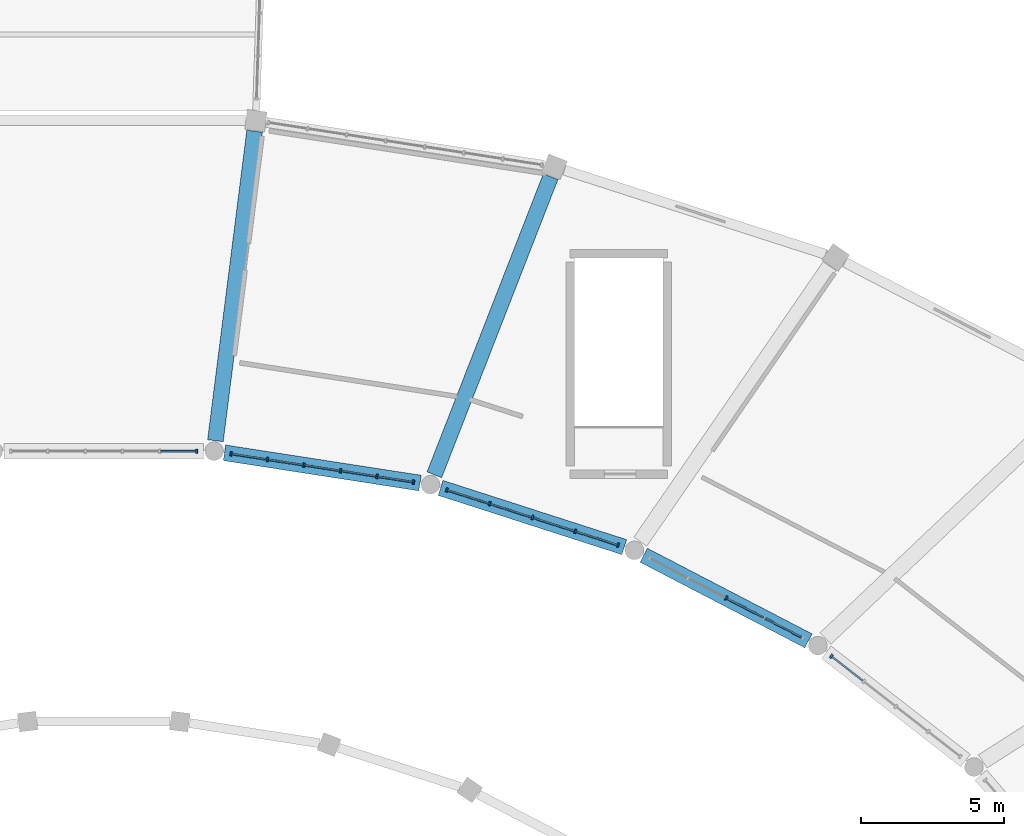
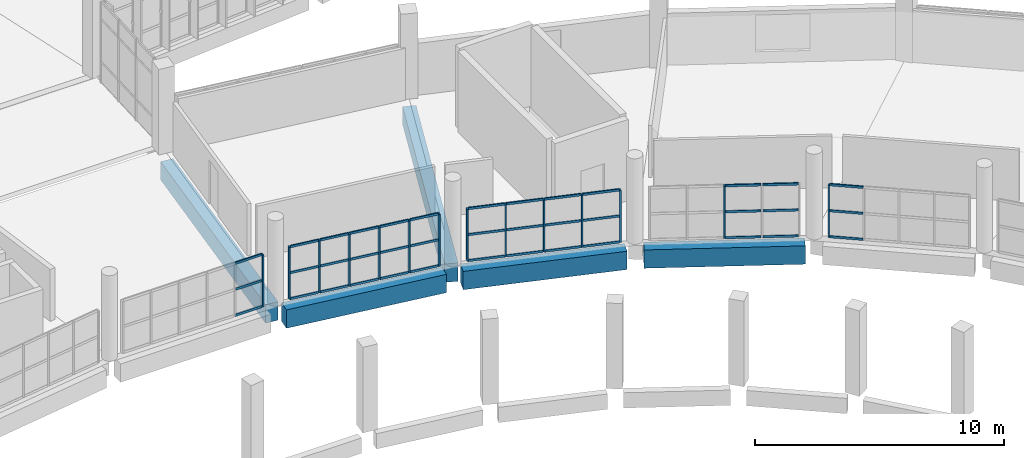
# One storey, part 32 of 142: 53 members, 5 beams, 5 elements without a shape of their own.
"""IFC4 building model written with IfcOpenShell, lengths in metres."""

from ifc_helpers import new_model, si_unit, direction, frame, origin, origin_2d, place, context, subcontext, project, spatial, rectangle, extrude, material, layer, layer_set, material_profile, profile_set, type_object, element, aggregate, save


model = new_model("IFC4")

# Units and contexts
model_context = context("Model", 3, precision=1e-05, world=origin(), true_north=direction((0.0, 1.0)))
body_context = subcontext(model_context, "Body", "Model", "MODEL_VIEW")
ifc_project = project(units=[si_unit("LENGTHUNIT", "METRE"), si_unit("AREAUNIT", "SQUARE_METRE"), si_unit("VOLUMEUNIT", "CUBIC_METRE"), si_unit("PLANEANGLEUNIT", "RADIAN"), si_unit("MASSUNIT", "GRAM", prefix="KILO")], contexts=[model_context])

# Site, building, storey
site_placement = place(None, origin())
site = spatial("IfcSite", under=ifc_project, at=site_placement, CompositionType="ELEMENT")
building_placement = place(site_placement, origin())
building = spatial("IfcBuilding", under=site, at=building_placement, Name="Corvandel Quay Wholesale Market", CompositionType="ELEMENT")
storey_placement = place(building_placement, frame((0.0, 0.0, 10.800048828125)))
storey = spatial("IfcBuildingStorey", under=building, at=storey_placement, Name="L02", CompositionType="ELEMENT", Elevation=10.800048828125)

# Curtain wall, member
ifc_material_1 = material(Name="Bronze anodised aluminium and low-E insulated glazing", Category="aluminium")
ifc_layer_1 = layer(ifc_material_1, 0.14990234375)
ifc_layer_set_1 = layer_set([ifc_layer_1], Name="Bronze anodised aluminium and low-E insulated glazing")
curtain_wall_type_1 = type_object("IfcCurtainWallType", Name="Stick Curtain Wall System CW25 H5250", PredefinedType="NOTDEFINED", material=ifc_layer_set_1)
curtain_wall_1_placement = place(storey_placement, origin())
curtain_wall_1 = element("IfcCurtainWall", 1, at=curtain_wall_1_placement, inside=storey, type_object=curtain_wall_type_1, Name="Curtain Wall CW-0011", PredefinedType="NOTDEFINED")
ifc_material_2 = material(Name="Anodised aluminium 6063-T6", Category="aluminium")
ifc_material_profile_1 = material_profile(ifc_material_2, rectangle(XDim=0.06494140625, YDim=0.14990234375, at=origin_2d()), Name="ALU-MUL-65x150")
ifc_profile_set_1 = profile_set([ifc_material_profile_1], Name="Anodised aluminium 6063-T6")
member_type_1 = type_object("IfcMemberType", Name="Curtain Wall Mullion ML02 65x150", PredefinedType="MULLION", material=ifc_profile_set_1)
member_1_placement = place(storey_placement, frame((139.4306640625, 65.28369140625, 0.0), z_axis=(0.0, 0.0, 1.0), x_axis=(-0.789405615633, 0.613871952452, 0.0)))
member_1 = element("IfcMember", 2, at=member_1_placement, type_object=member_type_1, Name="Mullion CW-0011-M04", PredefinedType="MULLION", context=body_context, shape_type="SweptSolid", body=[
    extrude(rectangle(XDim=0.06494140625, YDim=0.14990234375, at=origin_2d()), origin(), (0.0, 0.0, 1.0), 2.550048828125),
])

ifc_layer_2 = layer(ifc_material_1, 0.162109375)
ifc_layer_set_2 = layer_set([ifc_layer_2], Name="Bronze anodised aluminium and low-E insulated glazing")
curtain_wall_type_2 = type_object("IfcCurtainWallType", Name="Stick Curtain Wall System CW26 H5340", PredefinedType="NOTDEFINED", material=ifc_layer_set_2)
curtain_wall_2_placement = place(storey_placement, origin())
curtain_wall_2 = element("IfcCurtainWall", 3, at=curtain_wall_2_placement, inside=storey, type_object=curtain_wall_type_2, Name="Curtain Wall CW-0015", PredefinedType="NOTDEFINED")
member_2_placement = place(storey_placement, frame((135.75048828125, 67.318115234375, 0.0), z_axis=(0.0, 0.0, 1.0), x_axis=(-0.887332978338, 0.461129250378, 0.0)))
member_2 = element("IfcMember", 4, at=member_2_placement, type_object=member_type_1, Name="Mullion CW-0015-M02", PredefinedType="MULLION", context=body_context, shape_type="SweptSolid", body=[
    extrude(rectangle(XDim=0.06494140625, YDim=0.14990234375, at=origin_2d()), origin(), (0.0, 0.0, 1.0), 2.550048828125),
])

# Curtain wall, members
ifc_layer_3 = layer(ifc_material_1, 0.174072265625)
ifc_layer_set_3 = layer_set([ifc_layer_3], Name="Bronze anodised aluminium and low-E insulated glazing")
curtain_wall_type_3 = type_object("IfcCurtainWallType", Name="Stick Curtain Wall System CW27 H5430", PredefinedType="NOTDEFINED", material=ifc_layer_set_3)
curtain_wall_3_placement = place(storey_placement, origin())
curtain_wall_3 = element("IfcCurtainWall", 5, at=curtain_wall_3_placement, inside=storey, type_object=curtain_wall_type_3, Name="Curtain Wall CW-0017", PredefinedType="NOTDEFINED")
member_3_placement = place(storey_placement, frame((131.972900390625, 69.16796875, 0.0), z_axis=(0.0, 0.0, 1.0), x_axis=(-0.951808747363, 0.306692204733, 0.0)))
member_3 = element("IfcMember", 6, at=member_3_placement, type_object=member_type_1, Name="Mullion CW-0017-M00", PredefinedType="MULLION", context=body_context, shape_type="SweptSolid", body=[
    extrude(rectangle(XDim=0.06494140625, YDim=0.14990234375, at=origin_2d()), origin(), (0.0, 0.0, 1.0), 2.550048828125),
])
member_4_placement = place(storey_placement, frame((130.4775390625, 69.64990234375, 0.0), z_axis=(0.0, 0.0, 1.0), x_axis=(-0.951808747363, 0.306692204733, 0.0)))
member_4 = element("IfcMember", 7, at=member_4_placement, type_object=member_type_1, Name="Mullion CW-0017-M01", PredefinedType="MULLION", context=body_context, shape_type="SweptSolid", body=[
    extrude(rectangle(XDim=0.06494140625, YDim=0.14990234375, at=origin_2d()), origin(), (0.0, 0.0, 1.0), 2.550048828125),
])
member_5_placement = place(storey_placement, frame((128.98193359375, 70.132080078125, 0.0), z_axis=(0.0, 0.0, 1.0), x_axis=(-0.951808747363, 0.306692204733, 0.0)))
member_5 = element("IfcMember", 8, at=member_5_placement, type_object=member_type_1, Name="Mullion CW-0017-M02", PredefinedType="MULLION", context=body_context, shape_type="SweptSolid", body=[
    extrude(rectangle(XDim=0.06494140625, YDim=0.14990234375, at=origin_2d()), origin(), (0.0, 0.0, 1.0), 2.550048828125),
])
member_6_placement = place(storey_placement, frame((127.486572265625, 70.614013671875, 0.0), z_axis=(0.0, 0.0, 1.0), x_axis=(-0.951808747363, 0.306692204733, 0.0)))
member_6 = element("IfcMember", 9, at=member_6_placement, type_object=member_type_1, Name="Mullion CW-0017-M03", PredefinedType="MULLION", context=body_context, shape_type="SweptSolid", body=[
    extrude(rectangle(XDim=0.06494140625, YDim=0.14990234375, at=origin_2d()), origin(), (0.0, 0.0, 1.0), 2.550048828125),
])
member_7_placement = place(storey_placement, frame((125.9912109375, 71.095947265625, 0.0), z_axis=(0.0, 0.0, 1.0), x_axis=(-0.951808747363, 0.306692204733, 0.0)))
member_7 = element("IfcMember", 10, at=member_7_placement, type_object=member_type_1, Name="Mullion CW-0017-M04", PredefinedType="MULLION", context=body_context, shape_type="SweptSolid", body=[
    extrude(rectangle(XDim=0.06494140625, YDim=0.14990234375, at=origin_2d()), origin(), (0.0, 0.0, 1.0), 2.550048828125),
])

ifc_layer_4 = layer(ifc_material_1, 0.18603515625)
ifc_layer_set_4 = layer_set([ifc_layer_4], Name="Bronze anodised aluminium and low-E insulated glazing")
curtain_wall_type_4 = type_object("IfcCurtainWallType", Name="Stick Curtain Wall System CW28 H5520", PredefinedType="NOTDEFINED", material=ifc_layer_set_4)
curtain_wall_4_placement = place(storey_placement, origin())
curtain_wall_4 = element("IfcCurtainWall", 11, at=curtain_wall_4_placement, inside=storey, type_object=curtain_wall_type_4, Name="Curtain Wall CW-0021", PredefinedType="NOTDEFINED")
member_8_placement = place(storey_placement, frame((124.826904296875, 71.37158203125, 0.0), z_axis=(0.0, 0.0, 1.0), x_axis=(-0.98825506746, 0.152813355565, 0.0)))
member_8 = element("IfcMember", 12, at=member_8_placement, type_object=member_type_1, Name="Mullion CW-0021-M00", PredefinedType="MULLION", context=body_context, shape_type="SweptSolid", body=[
    extrude(rectangle(XDim=0.06494140625, YDim=0.14990234375, at=origin_2d()), origin(), (0.0, 0.0, 1.0), 2.550048828125),
])
member_9_placement = place(storey_placement, frame((123.551513671875, 71.569091796875, 0.0), z_axis=(0.0, 0.0, 1.0), x_axis=(-0.98825506746, 0.152813355565, 0.0)))
member_9 = element("IfcMember", 13, at=member_9_placement, type_object=member_type_1, Name="Mullion CW-0021-M01", PredefinedType="MULLION", context=body_context, shape_type="SweptSolid", body=[
    extrude(rectangle(XDim=0.06494140625, YDim=0.14990234375, at=origin_2d()), origin(), (0.0, 0.0, 1.0), 2.550048828125),
])
member_10_placement = place(storey_placement, frame((122.27587890625, 71.766357421875, 0.0), z_axis=(0.0, 0.0, 1.0), x_axis=(-0.98825506746, 0.152813355565, 0.0)))
member_10 = element("IfcMember", 14, at=member_10_placement, type_object=member_type_1, Name="Mullion CW-0021-M02", PredefinedType="MULLION", context=body_context, shape_type="SweptSolid", body=[
    extrude(rectangle(XDim=0.06494140625, YDim=0.14990234375, at=origin_2d()), origin(), (0.0, 0.0, 1.0), 2.550048828125),
])
member_11_placement = place(storey_placement, frame((121.000244140625, 71.963623046875, 0.0), z_axis=(0.0, 0.0, 1.0), x_axis=(-0.98825506746, 0.152813355565, 0.0)))
member_11 = element("IfcMember", 15, at=member_11_placement, type_object=member_type_1, Name="Mullion CW-0021-M03", PredefinedType="MULLION", context=body_context, shape_type="SweptSolid", body=[
    extrude(rectangle(XDim=0.06494140625, YDim=0.14990234375, at=origin_2d()), origin(), (0.0, 0.0, 1.0), 2.550048828125),
])
member_12_placement = place(storey_placement, frame((119.724609375, 72.160888671875, 0.0), z_axis=(0.0, 0.0, 1.0), x_axis=(-0.98825506746, 0.152813355565, 0.0)))
member_12 = element("IfcMember", 16, at=member_12_placement, type_object=member_type_1, Name="Mullion CW-0021-M04", PredefinedType="MULLION", context=body_context, shape_type="SweptSolid", body=[
    extrude(rectangle(XDim=0.06494140625, YDim=0.14990234375, at=origin_2d()), origin(), (0.0, 0.0, 1.0), 2.550048828125),
])
member_13_placement = place(storey_placement, frame((118.448974609375, 72.3583984375, 0.0), z_axis=(0.0, 0.0, 1.0), x_axis=(-0.98825506746, 0.152813355565, 0.0)))
member_13 = element("IfcMember", 17, at=member_13_placement, type_object=member_type_1, Name="Mullion CW-0021-M05", PredefinedType="MULLION", context=body_context, shape_type="SweptSolid", body=[
    extrude(rectangle(XDim=0.06494140625, YDim=0.14990234375, at=origin_2d()), origin(), (0.0, 0.0, 1.0), 2.550048828125),
])

# Curtain wall, member
ifc_layer_5 = layer(ifc_material_1, 0.162109375)
ifc_layer_set_5 = layer_set([ifc_layer_5], Name="Bronze anodised aluminium and low-E insulated glazing")
curtain_wall_type_5 = type_object("IfcCurtainWallType", Name="Stick Curtain Wall System CW01 H3090", PredefinedType="NOTDEFINED", material=ifc_layer_set_5)
curtain_wall_5_placement = place(storey_placement, origin())
curtain_wall_5 = element("IfcCurtainWall", 18, at=curtain_wall_5_placement, inside=storey, type_object=curtain_wall_type_5, Name="Curtain Wall CW-0023", PredefinedType="NOTDEFINED")
member_14_placement = place(storey_placement, frame((117.256103515625, 72.449951171875, 0.0), z_axis=(0.0, 0.0, 1.0), x_axis=(1.0, 0.0, 0.0)))
member_14 = element("IfcMember", 19, at=member_14_placement, type_object=member_type_1, Name="Mullion CW-0023-M00", PredefinedType="MULLION", context=body_context, shape_type="SweptSolid", body=[
    extrude(rectangle(XDim=0.06494140625, YDim=0.14990234375, at=origin_2d()), origin(), (0.0, 0.0, 1.0), 2.550048828125),
])

# Member
ifc_material_profile_2 = material_profile(ifc_material_2, rectangle(XDim=0.06005859375, YDim=0.110107421875, at=origin_2d()), Name="ALU-TRN-60x110")
ifc_profile_set_2 = profile_set([ifc_material_profile_2], Name="Anodised aluminium 6063-T6")
member_type_2 = type_object("IfcMemberType", Name="Curtain Wall Transom TR02 60x110", PredefinedType="USERDEFINED", material=ifc_profile_set_2)
member_15_placement = place(storey_placement, frame((140.531494140625, 64.427490234375, 0.0), z_axis=(-0.789381170954, 0.613903385676, 0.0), x_axis=(-0.613903385676, -0.789381170954, 0.0)))
member_15 = element("IfcMember", 20, at=member_15_placement, type_object=member_type_2, Name="Transom CW-0011-T03-0", ObjectType="TRANSOM", PredefinedType="USERDEFINED", context=body_context, shape_type="SweptSolid", body=[
    extrude(rectangle(XDim=0.06005859375, YDim=0.110107421875, at=origin_2d()), origin(), (0.0, 0.0, 1.0), 1.362060546875),
])

member_16_placement = place(storey_placement, frame((140.531494140625, 64.427490234375, 1.27490234375), z_axis=(-0.789381170954, 0.613903385676, 0.0), x_axis=(-0.613903385676, -0.789381170954, 0.0)))
member_16 = element("IfcMember", 21, at=member_16_placement, type_object=member_type_2, Name="Transom CW-0011-T03-1", ObjectType="TRANSOM", PredefinedType="USERDEFINED", context=body_context, shape_type="SweptSolid", body=[
    extrude(rectangle(XDim=0.06005859375, YDim=0.110107421875, at=origin_2d()), origin(), (0.0, 0.0, 1.0), 1.362060546875),
])

member_17_placement = place(storey_placement, frame((140.531494140625, 64.427490234375, 2.550048828125), z_axis=(-0.789381170954, 0.613903385676, 0.0), x_axis=(-0.613903385676, -0.789381170954, 0.0)))
member_17 = element("IfcMember", 22, at=member_17_placement, type_object=member_type_2, Name="Transom CW-0011-T03-2", ObjectType="TRANSOM", PredefinedType="USERDEFINED", context=body_context, shape_type="SweptSolid", body=[
    extrude(rectangle(XDim=0.06005859375, YDim=0.110107421875, at=origin_2d()), origin(), (0.0, 0.0, 1.0), 1.362060546875),
])

aggregate(curtain_wall_1, [member_1, member_15, member_16, member_17])

member_18_placement = place(storey_placement, frame((138.395751953125, 65.943603515625, 0.0), z_axis=(-0.887341534399, 0.46111278591, 0.0), x_axis=(-0.46111278591, -0.887341534399, 0.0)))
member_18 = element("IfcMember", 23, at=member_18_placement, type_object=member_type_2, Name="Transom CW-0015-T00-0", ObjectType="TRANSOM", PredefinedType="USERDEFINED", context=body_context, shape_type="SweptSolid", body=[
    extrude(rectangle(XDim=0.06005859375, YDim=0.110107421875, at=origin_2d()), origin(), (0.0, 0.0, 1.0), 1.441650390625),
])

member_19_placement = place(storey_placement, frame((138.395751953125, 65.943603515625, 1.27490234375), z_axis=(-0.887341534399, 0.46111278591, 0.0), x_axis=(-0.46111278591, -0.887341534399, 0.0)))
member_19 = element("IfcMember", 24, at=member_19_placement, type_object=member_type_2, Name="Transom CW-0015-T00-1", ObjectType="TRANSOM", PredefinedType="USERDEFINED", context=body_context, shape_type="SweptSolid", body=[
    extrude(rectangle(XDim=0.06005859375, YDim=0.110107421875, at=origin_2d()), origin(), (0.0, 0.0, 1.0), 1.441650390625),
])

member_20_placement = place(storey_placement, frame((138.395751953125, 65.943603515625, 2.550048828125), z_axis=(-0.887341534399, 0.46111278591, 0.0), x_axis=(-0.46111278591, -0.887341534399, 0.0)))
member_20 = element("IfcMember", 25, at=member_20_placement, type_object=member_type_2, Name="Transom CW-0015-T00-2", ObjectType="TRANSOM", PredefinedType="USERDEFINED", context=body_context, shape_type="SweptSolid", body=[
    extrude(rectangle(XDim=0.06005859375, YDim=0.110107421875, at=origin_2d()), origin(), (0.0, 0.0, 1.0), 1.441650390625),
])

member_21_placement = place(storey_placement, frame((137.05859375, 66.63818359375, 0.0), z_axis=(-0.887341534399, 0.46111278591, 0.0), x_axis=(-0.46111278591, -0.887341534399, 0.0)))
member_21 = element("IfcMember", 26, at=member_21_placement, type_object=member_type_2, Name="Transom CW-0015-T01-0", ObjectType="TRANSOM", PredefinedType="USERDEFINED", context=body_context, shape_type="SweptSolid", body=[
    extrude(rectangle(XDim=0.06005859375, YDim=0.110107421875, at=origin_2d()), origin(), (0.0, 0.0, 1.0), 1.441650390625),
])

member_22_placement = place(storey_placement, frame((137.05859375, 66.63818359375, 1.27490234375), z_axis=(-0.887341534399, 0.46111278591, 0.0), x_axis=(-0.46111278591, -0.887341534399, 0.0)))
member_22 = element("IfcMember", 27, at=member_22_placement, type_object=member_type_2, Name="Transom CW-0015-T01-1", ObjectType="TRANSOM", PredefinedType="USERDEFINED", context=body_context, shape_type="SweptSolid", body=[
    extrude(rectangle(XDim=0.06005859375, YDim=0.110107421875, at=origin_2d()), origin(), (0.0, 0.0, 1.0), 1.441650390625),
])

member_23_placement = place(storey_placement, frame((137.05859375, 66.63818359375, 2.550048828125), z_axis=(-0.887341534399, 0.46111278591, 0.0), x_axis=(-0.46111278591, -0.887341534399, 0.0)))
member_23 = element("IfcMember", 28, at=member_23_placement, type_object=member_type_2, Name="Transom CW-0015-T01-2", ObjectType="TRANSOM", PredefinedType="USERDEFINED", context=body_context, shape_type="SweptSolid", body=[
    extrude(rectangle(XDim=0.06005859375, YDim=0.110107421875, at=origin_2d()), origin(), (0.0, 0.0, 1.0), 1.441650390625),
])

aggregate(curtain_wall_2, [member_2, member_18, member_19, member_20, member_21, member_22, member_23])

member_24_placement = place(storey_placement, frame((131.94189453125, 69.177978515625, 0.0), z_axis=(-0.951812449712, 0.306680714383, 0.0), x_axis=(-0.306680714383, -0.951812449712, 0.0)))
member_24 = element("IfcMember", 29, at=member_24_placement, type_object=member_type_2, Name="Transom CW-0017-T00-0", ObjectType="TRANSOM", PredefinedType="USERDEFINED", context=body_context, shape_type="SweptSolid", body=[
    extrude(rectangle(XDim=0.06005859375, YDim=0.110107421875, at=origin_2d()), origin(), (0.0, 0.0, 1.0), 1.506103515625),
])

member_25_placement = place(storey_placement, frame((131.94189453125, 69.177978515625, 1.27490234375), z_axis=(-0.951812449712, 0.306680714383, 0.0), x_axis=(-0.306680714383, -0.951812449712, 0.0)))
member_25 = element("IfcMember", 30, at=member_25_placement, type_object=member_type_2, Name="Transom CW-0017-T00-1", ObjectType="TRANSOM", PredefinedType="USERDEFINED", context=body_context, shape_type="SweptSolid", body=[
    extrude(rectangle(XDim=0.06005859375, YDim=0.110107421875, at=origin_2d()), origin(), (0.0, 0.0, 1.0), 1.506103515625),
])

member_26_placement = place(storey_placement, frame((131.94189453125, 69.177978515625, 2.550048828125), z_axis=(-0.951812449712, 0.306680714383, 0.0), x_axis=(-0.306680714383, -0.951812449712, 0.0)))
member_26 = element("IfcMember", 31, at=member_26_placement, type_object=member_type_2, Name="Transom CW-0017-T00-2", ObjectType="TRANSOM", PredefinedType="USERDEFINED", context=body_context, shape_type="SweptSolid", body=[
    extrude(rectangle(XDim=0.06005859375, YDim=0.110107421875, at=origin_2d()), origin(), (0.0, 0.0, 1.0), 1.506103515625),
])

member_27_placement = place(storey_placement, frame((130.446533203125, 69.659912109375, 0.0), z_axis=(-0.951765125265, 0.306827551452, 0.0), x_axis=(-0.306827551452, -0.951765125265, 0.0)))
member_27 = element("IfcMember", 32, at=member_27_placement, type_object=member_type_2, Name="Transom CW-0017-T01-0", ObjectType="TRANSOM", PredefinedType="USERDEFINED", context=body_context, shape_type="SweptSolid", body=[
    extrude(rectangle(XDim=0.06005859375, YDim=0.110107421875, at=origin_2d()), origin(), (0.0, 0.0, 1.0), 1.50634765625),
])

member_28_placement = place(storey_placement, frame((130.446533203125, 69.659912109375, 1.27490234375), z_axis=(-0.951765125265, 0.306827551452, 0.0), x_axis=(-0.306827551452, -0.951765125265, 0.0)))
member_28 = element("IfcMember", 33, at=member_28_placement, type_object=member_type_2, Name="Transom CW-0017-T01-1", ObjectType="TRANSOM", PredefinedType="USERDEFINED", context=body_context, shape_type="SweptSolid", body=[
    extrude(rectangle(XDim=0.06005859375, YDim=0.110107421875, at=origin_2d()), origin(), (0.0, 0.0, 1.0), 1.50634765625),
])

member_29_placement = place(storey_placement, frame((130.446533203125, 69.659912109375, 2.550048828125), z_axis=(-0.951765125265, 0.306827551452, 0.0), x_axis=(-0.306827551452, -0.951765125265, 0.0)))
member_29 = element("IfcMember", 34, at=member_29_placement, type_object=member_type_2, Name="Transom CW-0017-T01-2", ObjectType="TRANSOM", PredefinedType="USERDEFINED", context=body_context, shape_type="SweptSolid", body=[
    extrude(rectangle(XDim=0.06005859375, YDim=0.110107421875, at=origin_2d()), origin(), (0.0, 0.0, 1.0), 1.50634765625),
])

member_30_placement = place(storey_placement, frame((128.951171875, 70.14208984375, 0.0), z_axis=(-0.951812449712, 0.306680714383, 0.0), x_axis=(-0.306680714383, -0.951812449712, 0.0)))
member_30 = element("IfcMember", 35, at=member_30_placement, type_object=member_type_2, Name="Transom CW-0017-T02-0", ObjectType="TRANSOM", PredefinedType="USERDEFINED", context=body_context, shape_type="SweptSolid", body=[
    extrude(rectangle(XDim=0.06005859375, YDim=0.110107421875, at=origin_2d()), origin(), (0.0, 0.0, 1.0), 1.506103515625),
])

member_31_placement = place(storey_placement, frame((128.951171875, 70.14208984375, 1.27490234375), z_axis=(-0.951812449712, 0.306680714383, 0.0), x_axis=(-0.306680714383, -0.951812449712, 0.0)))
member_31 = element("IfcMember", 36, at=member_31_placement, type_object=member_type_2, Name="Transom CW-0017-T02-1", ObjectType="TRANSOM", PredefinedType="USERDEFINED", context=body_context, shape_type="SweptSolid", body=[
    extrude(rectangle(XDim=0.06005859375, YDim=0.110107421875, at=origin_2d()), origin(), (0.0, 0.0, 1.0), 1.506103515625),
])

member_32_placement = place(storey_placement, frame((128.951171875, 70.14208984375, 2.550048828125), z_axis=(-0.951812449712, 0.306680714383, 0.0), x_axis=(-0.306680714383, -0.951812449712, 0.0)))
member_32 = element("IfcMember", 37, at=member_32_placement, type_object=member_type_2, Name="Transom CW-0017-T02-2", ObjectType="TRANSOM", PredefinedType="USERDEFINED", context=body_context, shape_type="SweptSolid", body=[
    extrude(rectangle(XDim=0.06005859375, YDim=0.110107421875, at=origin_2d()), origin(), (0.0, 0.0, 1.0), 1.506103515625),
])

member_33_placement = place(storey_placement, frame((127.45556640625, 70.6240234375, 0.0), z_axis=(-0.951812449712, 0.306680714383, 0.0), x_axis=(-0.306680714383, -0.951812449712, 0.0)))
member_33 = element("IfcMember", 38, at=member_33_placement, type_object=member_type_2, Name="Transom CW-0017-T03-0", ObjectType="TRANSOM", PredefinedType="USERDEFINED", context=body_context, shape_type="SweptSolid", body=[
    extrude(rectangle(XDim=0.06005859375, YDim=0.110107421875, at=origin_2d()), origin(), (0.0, 0.0, 1.0), 1.506103515625),
])

member_34_placement = place(storey_placement, frame((127.45556640625, 70.6240234375, 1.27490234375), z_axis=(-0.951812449712, 0.306680714383, 0.0), x_axis=(-0.306680714383, -0.951812449712, 0.0)))
member_34 = element("IfcMember", 39, at=member_34_placement, type_object=member_type_2, Name="Transom CW-0017-T03-1", ObjectType="TRANSOM", PredefinedType="USERDEFINED", context=body_context, shape_type="SweptSolid", body=[
    extrude(rectangle(XDim=0.06005859375, YDim=0.110107421875, at=origin_2d()), origin(), (0.0, 0.0, 1.0), 1.506103515625),
])

member_35_placement = place(storey_placement, frame((127.45556640625, 70.6240234375, 2.550048828125), z_axis=(-0.951812449712, 0.306680714383, 0.0), x_axis=(-0.306680714383, -0.951812449712, 0.0)))
member_35 = element("IfcMember", 40, at=member_35_placement, type_object=member_type_2, Name="Transom CW-0017-T03-2", ObjectType="TRANSOM", PredefinedType="USERDEFINED", context=body_context, shape_type="SweptSolid", body=[
    extrude(rectangle(XDim=0.06005859375, YDim=0.110107421875, at=origin_2d()), origin(), (0.0, 0.0, 1.0), 1.506103515625),
])

aggregate(curtain_wall_3, [member_3, member_4, member_5, member_6, member_7, member_24, member_25, member_26, member_27, member_28, member_29, member_30, member_31, member_32, member_33, member_34, member_35])

member_36_placement = place(storey_placement, frame((124.794921875, 71.376708984375, 0.0), z_axis=(-0.988233143916, 0.152955069433, 0.0), x_axis=(-0.152955069433, -0.988233143916, 0.0)))
member_36 = element("IfcMember", 41, at=member_36_placement, type_object=member_type_2, Name="Transom CW-0021-T00-0", ObjectType="TRANSOM", PredefinedType="USERDEFINED", context=body_context, shape_type="SweptSolid", body=[
    extrude(rectangle(XDim=0.06005859375, YDim=0.110107421875, at=origin_2d()), origin(), (0.0, 0.0, 1.0), 1.225830078125),
])

member_37_placement = place(storey_placement, frame((124.794921875, 71.376708984375, 1.27490234375), z_axis=(-0.988233143916, 0.152955069433, 0.0), x_axis=(-0.152955069433, -0.988233143916, 0.0)))
member_37 = element("IfcMember", 42, at=member_37_placement, type_object=member_type_2, Name="Transom CW-0021-T00-1", ObjectType="TRANSOM", PredefinedType="USERDEFINED", context=body_context, shape_type="SweptSolid", body=[
    extrude(rectangle(XDim=0.06005859375, YDim=0.110107421875, at=origin_2d()), origin(), (0.0, 0.0, 1.0), 1.225830078125),
])

member_38_placement = place(storey_placement, frame((124.794921875, 71.376708984375, 2.550048828125), z_axis=(-0.988233143916, 0.152955069433, 0.0), x_axis=(-0.152955069433, -0.988233143916, 0.0)))
member_38 = element("IfcMember", 43, at=member_38_placement, type_object=member_type_2, Name="Transom CW-0021-T00-2", ObjectType="TRANSOM", PredefinedType="USERDEFINED", context=body_context, shape_type="SweptSolid", body=[
    extrude(rectangle(XDim=0.06005859375, YDim=0.110107421875, at=origin_2d()), origin(), (0.0, 0.0, 1.0), 1.225830078125),
])

member_39_placement = place(storey_placement, frame((123.519287109375, 71.573974609375, 0.0), z_axis=(-0.988233143916, 0.152955069433, 0.0), x_axis=(-0.152955069433, -0.988233143916, 0.0)))
member_39 = element("IfcMember", 44, at=member_39_placement, type_object=member_type_2, Name="Transom CW-0021-T01-0", ObjectType="TRANSOM", PredefinedType="USERDEFINED", context=body_context, shape_type="SweptSolid", body=[
    extrude(rectangle(XDim=0.06005859375, YDim=0.110107421875, at=origin_2d()), origin(), (0.0, 0.0, 1.0), 1.225830078125),
])

member_40_placement = place(storey_placement, frame((123.519287109375, 71.573974609375, 1.27490234375), z_axis=(-0.988233143916, 0.152955069433, 0.0), x_axis=(-0.152955069433, -0.988233143916, 0.0)))
member_40 = element("IfcMember", 45, at=member_40_placement, type_object=member_type_2, Name="Transom CW-0021-T01-1", ObjectType="TRANSOM", PredefinedType="USERDEFINED", context=body_context, shape_type="SweptSolid", body=[
    extrude(rectangle(XDim=0.06005859375, YDim=0.110107421875, at=origin_2d()), origin(), (0.0, 0.0, 1.0), 1.225830078125),
])

member_41_placement = place(storey_placement, frame((123.519287109375, 71.573974609375, 2.550048828125), z_axis=(-0.988233143916, 0.152955069433, 0.0), x_axis=(-0.152955069433, -0.988233143916, 0.0)))
member_41 = element("IfcMember", 46, at=member_41_placement, type_object=member_type_2, Name="Transom CW-0021-T01-2", ObjectType="TRANSOM", PredefinedType="USERDEFINED", context=body_context, shape_type="SweptSolid", body=[
    extrude(rectangle(XDim=0.06005859375, YDim=0.110107421875, at=origin_2d()), origin(), (0.0, 0.0, 1.0), 1.225830078125),
])

member_42_placement = place(storey_placement, frame((122.24365234375, 71.771240234375, 0.0), z_axis=(-0.988233143916, 0.152955069433, 0.0), x_axis=(-0.152955069433, -0.988233143916, 0.0)))
member_42 = element("IfcMember", 47, at=member_42_placement, type_object=member_type_2, Name="Transom CW-0021-T02-0", ObjectType="TRANSOM", PredefinedType="USERDEFINED", context=body_context, shape_type="SweptSolid", body=[
    extrude(rectangle(XDim=0.06005859375, YDim=0.110107421875, at=origin_2d()), origin(), (0.0, 0.0, 1.0), 1.225830078125),
])

member_43_placement = place(storey_placement, frame((122.24365234375, 71.771240234375, 1.27490234375), z_axis=(-0.988233143916, 0.152955069433, 0.0), x_axis=(-0.152955069433, -0.988233143916, 0.0)))
member_43 = element("IfcMember", 48, at=member_43_placement, type_object=member_type_2, Name="Transom CW-0021-T02-1", ObjectType="TRANSOM", PredefinedType="USERDEFINED", context=body_context, shape_type="SweptSolid", body=[
    extrude(rectangle(XDim=0.06005859375, YDim=0.110107421875, at=origin_2d()), origin(), (0.0, 0.0, 1.0), 1.225830078125),
])

member_44_placement = place(storey_placement, frame((122.24365234375, 71.771240234375, 2.550048828125), z_axis=(-0.988233143916, 0.152955069433, 0.0), x_axis=(-0.152955069433, -0.988233143916, 0.0)))
member_44 = element("IfcMember", 49, at=member_44_placement, type_object=member_type_2, Name="Transom CW-0021-T02-2", ObjectType="TRANSOM", PredefinedType="USERDEFINED", context=body_context, shape_type="SweptSolid", body=[
    extrude(rectangle(XDim=0.06005859375, YDim=0.110107421875, at=origin_2d()), origin(), (0.0, 0.0, 1.0), 1.225830078125),
])

member_45_placement = place(storey_placement, frame((120.968017578125, 71.968505859375, 0.0), z_axis=(-0.988233143916, 0.152955069433, 0.0), x_axis=(-0.152955069433, -0.988233143916, 0.0)))
member_45 = element("IfcMember", 50, at=member_45_placement, type_object=member_type_2, Name="Transom CW-0021-T03-0", ObjectType="TRANSOM", PredefinedType="USERDEFINED", context=body_context, shape_type="SweptSolid", body=[
    extrude(rectangle(XDim=0.06005859375, YDim=0.110107421875, at=origin_2d()), origin(), (0.0, 0.0, 1.0), 1.225830078125),
])

member_46_placement = place(storey_placement, frame((120.968017578125, 71.968505859375, 1.27490234375), z_axis=(-0.988233143916, 0.152955069433, 0.0), x_axis=(-0.152955069433, -0.988233143916, 0.0)))
member_46 = element("IfcMember", 51, at=member_46_placement, type_object=member_type_2, Name="Transom CW-0021-T03-1", ObjectType="TRANSOM", PredefinedType="USERDEFINED", context=body_context, shape_type="SweptSolid", body=[
    extrude(rectangle(XDim=0.06005859375, YDim=0.110107421875, at=origin_2d()), origin(), (0.0, 0.0, 1.0), 1.225830078125),
])

member_47_placement = place(storey_placement, frame((120.968017578125, 71.968505859375, 2.550048828125), z_axis=(-0.988233143916, 0.152955069433, 0.0), x_axis=(-0.152955069433, -0.988233143916, 0.0)))
member_47 = element("IfcMember", 52, at=member_47_placement, type_object=member_type_2, Name="Transom CW-0021-T03-2", ObjectType="TRANSOM", PredefinedType="USERDEFINED", context=body_context, shape_type="SweptSolid", body=[
    extrude(rectangle(XDim=0.06005859375, YDim=0.110107421875, at=origin_2d()), origin(), (0.0, 0.0, 1.0), 1.225830078125),
])

member_48_placement = place(storey_placement, frame((119.6923828125, 72.166015625, 0.0), z_axis=(-0.988258580736, 0.152790633224, 0.0), x_axis=(-0.152790633224, -0.988258580736, 0.0)))
member_48 = element("IfcMember", 53, at=member_48_placement, type_object=member_type_2, Name="Transom CW-0021-T04-0", ObjectType="TRANSOM", PredefinedType="USERDEFINED", context=body_context, shape_type="SweptSolid", body=[
    extrude(rectangle(XDim=0.06005859375, YDim=0.110107421875, at=origin_2d()), origin(), (0.0, 0.0, 1.0), 1.2255859375),
])

member_49_placement = place(storey_placement, frame((119.6923828125, 72.166015625, 1.27490234375), z_axis=(-0.988258580736, 0.152790633224, 0.0), x_axis=(-0.152790633224, -0.988258580736, 0.0)))
member_49 = element("IfcMember", 54, at=member_49_placement, type_object=member_type_2, Name="Transom CW-0021-T04-1", ObjectType="TRANSOM", PredefinedType="USERDEFINED", context=body_context, shape_type="SweptSolid", body=[
    extrude(rectangle(XDim=0.06005859375, YDim=0.110107421875, at=origin_2d()), origin(), (0.0, 0.0, 1.0), 1.2255859375),
])

member_50_placement = place(storey_placement, frame((119.6923828125, 72.166015625, 2.550048828125), z_axis=(-0.988258580736, 0.152790633224, 0.0), x_axis=(-0.152790633224, -0.988258580736, 0.0)))
member_50 = element("IfcMember", 55, at=member_50_placement, type_object=member_type_2, Name="Transom CW-0021-T04-2", ObjectType="TRANSOM", PredefinedType="USERDEFINED", context=body_context, shape_type="SweptSolid", body=[
    extrude(rectangle(XDim=0.06005859375, YDim=0.110107421875, at=origin_2d()), origin(), (0.0, 0.0, 1.0), 1.2255859375),
])

aggregate(curtain_wall_4, [member_8, member_9, member_10, member_11, member_12, member_13, member_36, member_37, member_38, member_39, member_40, member_41, member_42, member_43, member_44, member_45, member_46, member_47, member_48, member_49, member_50])

member_51_placement = place(storey_placement, frame((117.223388671875, 72.449951171875, 0.0), z_axis=(-1.0, 0.0, 0.0), x_axis=(0.0, -1.0, 0.0)))
member_51 = element("IfcMember", 56, at=member_51_placement, type_object=member_type_2, Name="Transom CW-0023-T00-0", ObjectType="TRANSOM", PredefinedType="USERDEFINED", context=body_context, shape_type="SweptSolid", body=[
    extrude(rectangle(XDim=0.06005859375, YDim=0.110107421875, at=origin_2d()), origin(), (0.0, 0.0, 1.0), 1.2373046875),
])

member_52_placement = place(storey_placement, frame((117.223388671875, 72.449951171875, 1.27490234375), z_axis=(-1.0, 0.0, 0.0), x_axis=(0.0, -1.0, 0.0)))
member_52 = element("IfcMember", 57, at=member_52_placement, type_object=member_type_2, Name="Transom CW-0023-T00-1", ObjectType="TRANSOM", PredefinedType="USERDEFINED", context=body_context, shape_type="SweptSolid", body=[
    extrude(rectangle(XDim=0.06005859375, YDim=0.110107421875, at=origin_2d()), origin(), (0.0, 0.0, 1.0), 1.2373046875),
])

member_53_placement = place(storey_placement, frame((117.223388671875, 72.449951171875, 2.550048828125), z_axis=(-1.0, 0.0, 0.0), x_axis=(0.0, -1.0, 0.0)))
member_53 = element("IfcMember", 58, at=member_53_placement, type_object=member_type_2, Name="Transom CW-0023-T00-2", ObjectType="TRANSOM", PredefinedType="USERDEFINED", context=body_context, shape_type="SweptSolid", body=[
    extrude(rectangle(XDim=0.06005859375, YDim=0.110107421875, at=origin_2d()), origin(), (0.0, 0.0, 1.0), 1.2373046875),
])

aggregate(curtain_wall_5, [member_14, member_51, member_52, member_53])

# Beams
ifc_material_3 = material(Name="Precast concrete C45/55", Category="concrete")
ifc_material_profile_3 = material_profile(ifc_material_3, rectangle(XDim=0.550048828125, YDim=0.89990234375, at=origin_2d()), Name="PC-GIR-550x900")
ifc_profile_set_3 = profile_set([ifc_material_profile_3], Name="Precast concrete C45/55")
beam_type = type_object("IfcBeamType", Name="Produce Hall Radial Girder G03 550x900", PredefinedType="USERDEFINED", material=ifc_profile_set_3)
beam_1_placement = place(storey_placement, frame((138.628662109375, 65.822509765625, -0.77001953125), z_axis=(-0.887364026479, 0.461069500738, 0.0), x_axis=(-0.461069500738, -0.887364026479, 0.0)))
element("IfcBeam", 59, at=beam_1_placement, inside=storey, type_object=beam_type, Name="Beam BM-0060", ObjectType="GIRDER", PredefinedType="USERDEFINED", context=body_context, shape_type="SweptSolid", body=[
    extrude(rectangle(XDim=0.550048828125, YDim=0.89990234375, at=origin_2d()), origin(), (0.0, 0.0, 1.0), 6.487060546875),
])
beam_2_placement = place(storey_placement, frame((132.19189453125, 69.097412109375, -0.77001953125), z_axis=(-0.951785347661, 0.306764815418, 0.0), x_axis=(-0.306764815418, -0.951785347661, 0.0)))
element("IfcBeam", 60, at=beam_2_placement, inside=storey, type_object=beam_type, Name="Beam BM-0072", ObjectType="GIRDER", PredefinedType="USERDEFINED", context=body_context, shape_type="SweptSolid", body=[
    extrude(rectangle(XDim=0.550048828125, YDim=0.89990234375, at=origin_2d()), origin(), (0.0, 0.0, 1.0), 6.744873046875),
])
beam_3_placement = place(storey_placement, frame((125.05419921875, 71.336669921875, -0.77001953125), z_axis=(-0.988252189149, 0.15283196865, 0.0), x_axis=(-0.15283196865, -0.988252189149, 0.0)))
element("IfcBeam", 61, at=beam_3_placement, inside=storey, type_object=beam_type, Name="Beam BM-0085", ObjectType="GIRDER", PredefinedType="USERDEFINED", context=body_context, shape_type="SweptSolid", body=[
    extrude(rectangle(XDim=0.550048828125, YDim=0.89990234375, at=origin_2d()), origin(), (0.0, 0.0, 1.0), 6.913818359375),
])
beam_4_placement = place(storey_placement, frame((129.61669921875, 82.041259765625, -0.77001953125), z_axis=(-0.363331250992, -0.93166002493, 0.0), x_axis=(0.93166002493, -0.363331250992, 0.0)))
element("IfcBeam", 62, at=beam_4_placement, inside=storey, type_object=beam_type, Name="Beam BM-0087", ObjectType="GIRDER", PredefinedType="USERDEFINED", context=body_context, shape_type="SweptSolid", body=[
    extrude(rectangle(XDim=0.550048828125, YDim=0.89990234375, at=origin_2d()), origin(), (0.0, 0.0, 1.0), 11.1806640625),
])
beam_5_placement = place(storey_placement, frame((119.2724609375, 83.6328125, -0.77001953125), z_axis=(-0.125652446387, -0.992074323182, 0.0), x_axis=(0.992074323182, -0.125652446387, 0.0)))
element("IfcBeam", 63, at=beam_5_placement, inside=storey, type_object=beam_type, Name="Beam BM-0099", ObjectType="GIRDER", PredefinedType="USERDEFINED", context=body_context, shape_type="SweptSolid", body=[
    extrude(rectangle(XDim=0.550048828125, YDim=0.89990234375, at=origin_2d()), origin(), (0.0, 0.0, 1.0), 10.902099609375),
])

save(model, "model.ifc")
